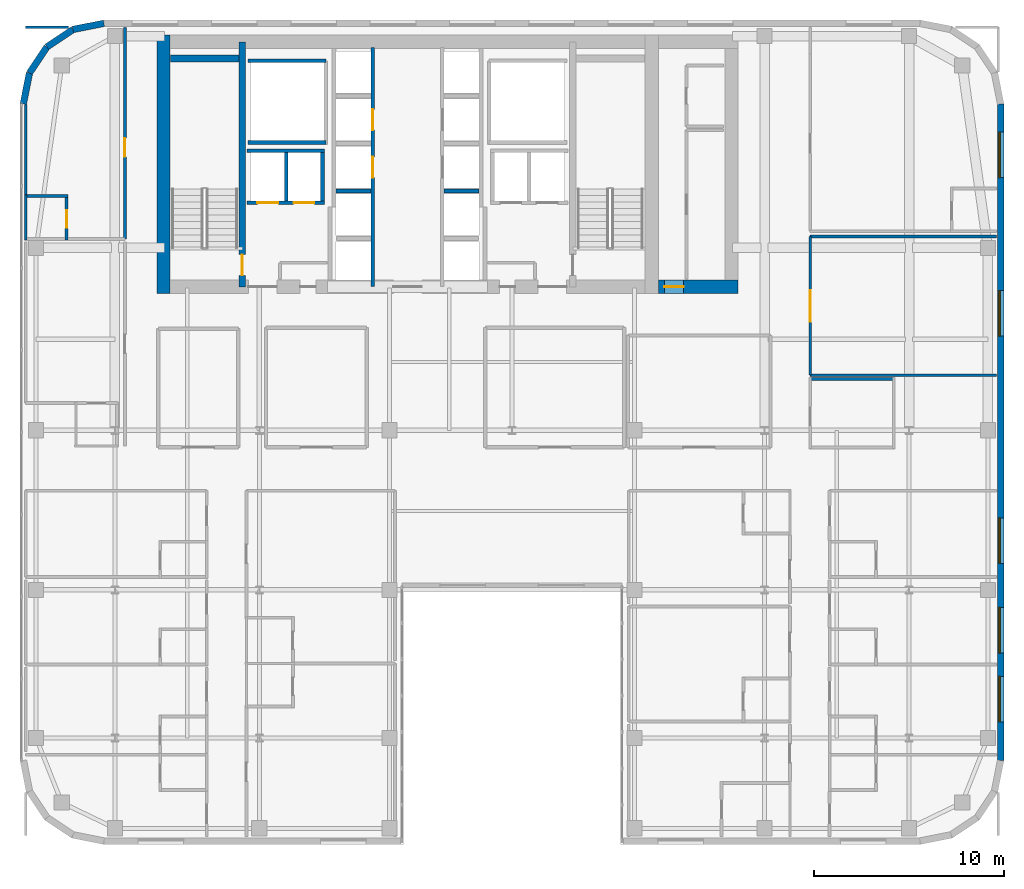
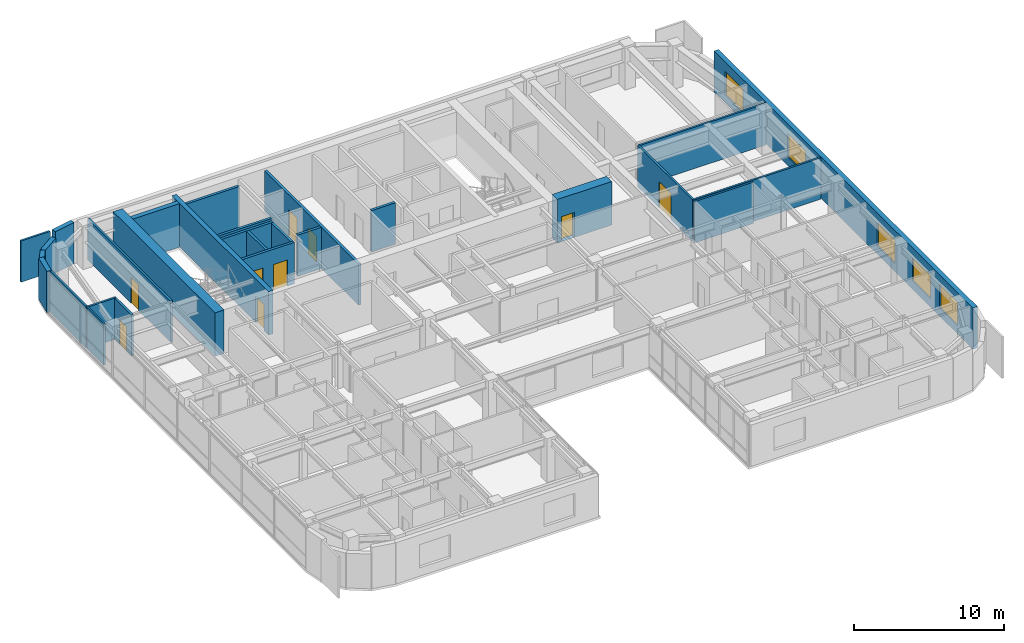
# One storey, part 21 of 24: 28 walls, 9 doors, 5 windows, 14 openings.
"""IFC4 building model written with IfcOpenShell, lengths in metres."""

from ifc_helpers import new_model, si_unit, direction, frame, frame_2d, origin, place, context, subcontext, project, spatial, rectangle, extrude, source, transform, mapped, material, layer, layer_set, type_object, type_shapes, element, fill, save


model = new_model("IFC4")

# Units and contexts
model_context = context("Model", 3, precision=1e-05, world=origin(), true_north=direction((0.0, 1.0)))
body_context = subcontext(model_context, "Body", "Model", "MODEL_VIEW")
ifc_project = project(units=[si_unit("LENGTHUNIT", "METRE"), si_unit("AREAUNIT", "SQUARE_METRE"), si_unit("VOLUMEUNIT", "CUBIC_METRE"), si_unit("PLANEANGLEUNIT", "RADIAN"), si_unit("MASSUNIT", "GRAM", prefix="KILO")], contexts=[model_context])

# Site, building, storey
site_placement = place(None, origin())
site = spatial("IfcSite", under=ifc_project, at=site_placement, CompositionType="ELEMENT")
building_placement = place(site_placement, origin())
building = spatial("IfcBuilding", under=site, at=building_placement, Name="Tolvann Quenvar Hotel", CompositionType="ELEMENT")
storey_placement = place(building_placement, frame((0.0, 0.0, 157.699951171875)))
storey = spatial("IfcBuildingStorey", under=building, at=storey_placement, Name="L41", CompositionType="ELEMENT", Elevation=157.699951171875)

# Wall
ifc_material_1 = material(Name="Concrete S65 (65 MPa)", Category="concrete")
ifc_layer_1 = layer(ifc_material_1, 0.699951171875)
ifc_layer_set_1 = layer_set([ifc_layer_1], Name="Concrete S65 (65 MPa)")
wall_type_1 = type_object("IfcWallType", Name="WALL_CORE_700", PredefinedType="SHEAR", material=ifc_layer_set_1)
wall_1_placement = place(storey_placement, frame((10.14990234375, 31.60009765625, 0.0), z_axis=(0.0, 0.0, 1.0), x_axis=(0.0, 1.0, 0.0)))
element("IfcWall", 1, at=wall_1_placement, inside=storey, type_object=wall_type_1, Name="Rear Core W Shear Wall (L41)", PredefinedType="SHEAR", context=body_context, shape_type="SweptSolid", body=[
    extrude(rectangle(XDim=13.599853515625, YDim=0.699951171875, at=frame_2d((6.7998046875, 0.0))), origin(), (0.0, 0.0, 1.0), 3.550048828125),
])

# Wall, opening, door
wall_2_placement = place(storey_placement, frame((36.199951171875, 31.949951171875, 0.0), z_axis=(0.0, 0.0, 1.0), x_axis=(1.0, 0.0, 0.0)))
wall_2 = element("IfcWall", 2, at=wall_2_placement, inside=storey, type_object=wall_type_1, Name="Core East Annex Shear Wall ANN-S (L41)", PredefinedType="SHEAR", context=body_context, shape_type="SweptSolid", body=[
    extrude(rectangle(XDim=4.199951171875, YDim=0.699951171875, at=frame_2d((2.10009765625, 0.0))), origin(), (0.0, 0.0, 1.0), 3.550048828125),
])
opening_1_placement = place(wall_2_placement, frame((1.340087890625, 0.0, 0.0), z_axis=(0.0, 0.0, 1.0), x_axis=(-1.0, 0.0, 0.0)))
opening_1 = element("IfcOpeningElement", 3, at=opening_1_placement, cuts=wall_2, Name="Opening HD-01", PredefinedType="OPENING", context=body_context, shape_type="SweptSolid", body=[
    extrude(rectangle(XDim=1.02001953125, YDim=2.030029296875, at=frame_2d((0.510009765625, 1.01513671875))), frame((0.0, 0.35986328125, 0.0), z_axis=(0.0, -1.0, 0.0), x_axis=(1.0, 0.0, 0.0)), (0.0, 0.0, 1.0), 0.719970703125),
])
ifc_material_2 = material(Name="Pressed galvanised steel fire-rated door set", Category="steel")
door_type_1 = type_object("IfcDoorType", Name="DOOR_BOH_1020", OperationType="NOTDEFINED", PredefinedType="DOOR", material=ifc_material_2)
shared_shape_1 = source(origin(), body_context, "Body", "SweptSolid", [
    extrude(rectangle(XDim=1.02001953125, YDim=2.030029296875, at=frame_2d((0.510009765625, 1.01513671875))), frame((0.0, 0.02490234375, 0.0), z_axis=(0.0, -1.0, 0.0), x_axis=(1.0, 0.0, 0.0)), (0.0, 0.0, 1.0), 0.050048828125),
])
type_shapes(door_type_1, [shared_shape_1])
door_1_placement = place(opening_1_placement, origin())
door_1 = element("IfcDoor", 4, at=door_1_placement, inside=storey, type_object=door_type_1, Name="Housekeeping Annex Fire Door (L41)", OperationType="SINGLE_SWING_LEFT", OverallHeight=2.030029296875, OverallWidth=1.02001953125, PredefinedType="DOOR", context=body_context, shape_type="MappedRepresentation", body=[
    mapped(shared_shape_1, transform((0.0, 0.0, 0.0), x_axis=(1.0, 0.0, 0.0), y_axis=(0.0, 1.0, 0.0), z_axis=(0.0, 0.0, 1.0), scale=1.0)),
])
fill(opening_1, door_1)

ifc_layer_2 = layer(ifc_material_1, 0.35009765625)
ifc_layer_set_2 = layer_set([ifc_layer_2], Name="Concrete S65 (65 MPa)")
wall_type_2 = type_object("IfcWallType", Name="WALL_CORE_INT_350", PredefinedType="SHEAR", material=ifc_layer_set_2)
wall_3_placement = place(storey_placement, frame((14.300048828125, 31.949951171875, 0.0), z_axis=(0.0, 0.0, 1.0), x_axis=(0.0, 1.0, 0.0)))
wall_3 = element("IfcWall", 5, at=wall_3_placement, inside=storey, type_object=wall_type_2, Name="Core Internal Web Shear Wall WEB-W (L41)", PredefinedType="SHEAR", context=body_context, shape_type="SweptSolid", body=[
    extrude(rectangle(XDim=12.900146484375, YDim=0.35009765625, at=frame_2d((6.4501953125, 0.0))), origin(), (0.0, 0.0, 1.0), 3.550048828125),
])
opening_2_placement = place(wall_3_placement, frame((0.60009765625, 0.0, 0.0)))
opening_2 = element("IfcOpeningElement", 6, at=opening_2_placement, cuts=wall_3, Name="Opening FD-120", PredefinedType="OPENING", context=body_context, shape_type="SweptSolid", body=[
    extrude(rectangle(XDim=1.10009765625, YDim=2.1201171875, at=frame_2d((0.550048828125, 1.06005859375))), frame((0.0, 0.18505859375, 0.0), z_axis=(0.0, -1.0, 0.0), x_axis=(1.0, 0.0, 0.0)), (0.0, 0.0, 1.0), 0.3701171875),
])
door_type_2 = type_object("IfcDoorType", Name="DOOR_FIRE_STAIR_1100", OperationType="NOTDEFINED", PredefinedType="DOOR", material=ifc_material_2)
shared_shape_2 = source(origin(), body_context, "Body", "SweptSolid", [
    extrude(rectangle(XDim=1.10009765625, YDim=2.1201171875, at=frame_2d((0.550048828125, 1.06005859375))), frame((0.0, 0.02490234375, 0.0), z_axis=(0.0, -1.0, 0.0), x_axis=(1.0, 0.0, 0.0)), (0.0, 0.0, 1.0), 0.050048828125),
])
type_shapes(door_type_2, [shared_shape_2])
door_2_placement = place(opening_2_placement, origin())
door_2 = element("IfcDoor", 7, at=door_2_placement, inside=storey, type_object=door_type_2, Name="Exit Stair ST-C1 Fire Door (L41)", OperationType="SINGLE_SWING_LEFT", OverallHeight=2.1201171875, OverallWidth=1.10009765625, PredefinedType="DOOR", context=body_context, shape_type="MappedRepresentation", body=[
    mapped(shared_shape_2, transform((0.0, 0.0, 0.0), x_axis=(1.0, 0.0, 0.0), y_axis=(0.0, 1.0, 0.0), z_axis=(0.0, 0.0, 1.0), scale=1.0)),
])
fill(opening_2, door_2)

# Wall
wall_4_placement = place(storey_placement, frame((10.52001953125, 43.97509765625, 0.0), z_axis=(0.0, 0.0, 1.0), x_axis=(1.0, 0.0, 0.0)))
element("IfcWall", 8, at=wall_4_placement, inside=storey, type_object=wall_type_2, Name="Core Stair North Closing Shear Wall STC1-N (L41)", PredefinedType="SHEAR", context=body_context, shape_type="SweptSolid", body=[
    extrude(rectangle(XDim=3.60009765625, YDim=0.35009765625, at=frame_2d((1.800048828125, 0.0))), origin(), (0.0, 0.0, 1.0), 3.550048828125),
])

# Wall, openings, windows
ifc_material_3 = material(Name="Kiln-fired red and buff architectural clay brickwork and terracotta masonry", Category="masonry")
ifc_layer_3 = layer(ifc_material_3, 0.35009765625)
ifc_layer_set_3 = layer_set([ifc_layer_3], Name="Kiln-fired red and buff architectural clay brickwork and terracotta masonry")
wall_type_3 = type_object("IfcWallType", Name="WALL_EXT_BRICK_350", PredefinedType="SOLIDWALL", material=ifc_layer_set_3)
wall_5_placement = place(storey_placement, frame((54.22509765625, 7.01708984375, 0.0), z_axis=(0.0, 0.0, 1.0), x_axis=(0.0, 1.0, 0.0)))
wall_5 = element("IfcWall", 9, at=wall_5_placement, inside=storey, type_object=wall_type_3, Name="Exterior Chicago Brick Wall L41-E13", PredefinedType="SOLIDWALL", context=body_context, shape_type="SweptSolid", body=[
    extrude(rectangle(XDim=34.565673828125, YDim=0.35009765625, at=frame_2d((17.28271484375, 0.0))), origin(), (0.0, 0.0, 1.0), 3.3701171875),
])
opening_3_placement = place(wall_5_placement, frame((2.034912109375, 0.0, 0.679931640625)))
opening_3 = element("IfcOpeningElement", 10, at=opening_3_placement, cuts=wall_5, Name="Opening W-01", PredefinedType="OPENING", context=body_context, shape_type="SweptSolid", body=[
    extrude(rectangle(XDim=2.39990234375, YDim=1.89990234375, at=frame_2d((1.199951171875, 0.949951171875))), frame((0.0, 0.18505859375, 0.0), z_axis=(0.0, -1.0, 0.0), x_axis=(1.0, 0.0, 0.0)), (0.0, 0.0, 1.0), 0.3701171875),
])
opening_4_placement = place(wall_5_placement, frame((5.656005859375, 0.0, 0.679931640625)))
opening_4 = element("IfcOpeningElement", 11, at=opening_4_placement, cuts=wall_5, Name="Opening W-01", PredefinedType="OPENING", context=body_context, shape_type="SweptSolid", body=[
    extrude(rectangle(XDim=2.39990234375, YDim=1.89990234375, at=frame_2d((1.199951171875, 0.949951171875))), frame((0.0, 0.18505859375, 0.0), z_axis=(0.0, -1.0, 0.0), x_axis=(1.0, 0.0, 0.0)), (0.0, 0.0, 1.0), 0.3701171875),
])
opening_5_placement = place(wall_5_placement, frame((10.376953125, 0.0, 0.679931640625)))
opening_5 = element("IfcOpeningElement", 12, at=opening_5_placement, cuts=wall_5, Name="Opening W-01", PredefinedType="OPENING", context=body_context, shape_type="SweptSolid", body=[
    extrude(rectangle(XDim=2.39990234375, YDim=1.89990234375, at=frame_2d((1.199951171875, 0.949951171875))), frame((0.0, 0.18505859375, 0.0), z_axis=(0.0, -1.0, 0.0), x_axis=(1.0, 0.0, 0.0)), (0.0, 0.0, 1.0), 0.3701171875),
])
opening_6_placement = place(wall_5_placement, frame((22.339111328125, 0.0, 0.679931640625)))
opening_6 = element("IfcOpeningElement", 13, at=opening_6_placement, cuts=wall_5, Name="Opening W-01", PredefinedType="OPENING", context=body_context, shape_type="SweptSolid", body=[
    extrude(rectangle(XDim=2.39990234375, YDim=1.89990234375, at=frame_2d((1.199951171875, 0.949951171875))), frame((0.0, 0.18505859375, 0.0), z_axis=(0.0, -1.0, 0.0), x_axis=(1.0, 0.0, 0.0)), (0.0, 0.0, 1.0), 0.3701171875),
])
opening_7_placement = place(wall_5_placement, frame((30.679931640625, 0.0, 0.679931640625)))
opening_7 = element("IfcOpeningElement", 14, at=opening_7_placement, cuts=wall_5, Name="Opening W-01", PredefinedType="OPENING", context=body_context, shape_type="SweptSolid", body=[
    extrude(rectangle(XDim=2.39990234375, YDim=1.89990234375, at=frame_2d((1.199951171875, 0.949951171875))), frame((0.0, 0.18505859375, 0.0), z_axis=(0.0, -1.0, 0.0), x_axis=(1.0, 0.0, 0.0)), (0.0, 0.0, 1.0), 0.3701171875),
])
ifc_material_4 = material(Name="Thermally broken bronze-anodised aluminium frame with double low-E glazing", Category="aluminium")
window_type = type_object("IfcWindowType", Name="WIN_CHI_2400x2050", PartitioningType="TRIPLE_PANEL_HORIZONTAL", PredefinedType="WINDOW", material=ifc_material_4)
shared_shape_3 = source(origin(), body_context, "Body", "SweptSolid", [
    extrude(rectangle(XDim=2.39990234375, YDim=1.89990234375, at=frame_2d((1.199951171875, 0.949951171875))), frame((0.0, 0.090087890625, 0.0), z_axis=(0.0, -1.0, 0.0), x_axis=(1.0, 0.0, 0.0)), (0.0, 0.0, 1.0), 0.06005859375),
])
type_shapes(window_type, [shared_shape_3])
window_1_placement = place(opening_3_placement, origin())
window_1 = element("IfcWindow", 15, at=window_1_placement, inside=storey, type_object=window_type, Name="Chicago Window W-01 (EW-L41-E13-W01)", OverallHeight=1.89990234375, OverallWidth=2.39990234375, PartitioningType="TRIPLE_PANEL_HORIZONTAL", PredefinedType="WINDOW", context=body_context, shape_type="MappedRepresentation", body=[
    mapped(shared_shape_3, transform((0.0, 0.0, 0.0), x_axis=(1.0, 0.0, 0.0), y_axis=(0.0, 1.0, 0.0), z_axis=(0.0, 0.0, 1.0), scale=1.0)),
])
fill(opening_3, window_1)
window_2_placement = place(opening_4_placement, origin())
window_2 = element("IfcWindow", 16, at=window_2_placement, inside=storey, type_object=window_type, Name="Chicago Window W-01 (EW-L41-E13-W02)", OverallHeight=1.89990234375, OverallWidth=2.39990234375, PartitioningType="TRIPLE_PANEL_HORIZONTAL", PredefinedType="WINDOW", context=body_context, shape_type="MappedRepresentation", body=[
    mapped(shared_shape_3, transform((0.0, 0.0, 0.0), x_axis=(1.0, 0.0, 0.0), y_axis=(0.0, 1.0, 0.0), z_axis=(0.0, 0.0, 1.0), scale=1.0)),
])
fill(opening_4, window_2)
window_3_placement = place(opening_5_placement, origin())
window_3 = element("IfcWindow", 17, at=window_3_placement, inside=storey, type_object=window_type, Name="Chicago Window W-01 (EW-L41-E13-W03)", OverallHeight=1.89990234375, OverallWidth=2.39990234375, PartitioningType="TRIPLE_PANEL_HORIZONTAL", PredefinedType="WINDOW", context=body_context, shape_type="MappedRepresentation", body=[
    mapped(shared_shape_3, transform((0.0, 0.0, 0.0), x_axis=(1.0, 0.0, 0.0), y_axis=(0.0, 1.0, 0.0), z_axis=(0.0, 0.0, 1.0), scale=1.0)),
])
fill(opening_5, window_3)
window_4_placement = place(opening_6_placement, origin())
window_4 = element("IfcWindow", 18, at=window_4_placement, inside=storey, type_object=window_type, Name="Chicago Window W-01 (EW-L41-E13-W04)", OverallHeight=1.89990234375, OverallWidth=2.39990234375, PartitioningType="TRIPLE_PANEL_HORIZONTAL", PredefinedType="WINDOW", context=body_context, shape_type="MappedRepresentation", body=[
    mapped(shared_shape_3, transform((0.0, 0.0, 0.0), x_axis=(1.0, 0.0, 0.0), y_axis=(0.0, 1.0, 0.0), z_axis=(0.0, 0.0, 1.0), scale=1.0)),
])
fill(opening_6, window_4)
window_5_placement = place(opening_7_placement, origin())
window_5 = element("IfcWindow", 19, at=window_5_placement, inside=storey, type_object=window_type, Name="Chicago Window W-01 (EW-L41-E13-W05)", OverallHeight=1.89990234375, OverallWidth=2.39990234375, PartitioningType="TRIPLE_PANEL_HORIZONTAL", PredefinedType="WINDOW", context=body_context, shape_type="MappedRepresentation", body=[
    mapped(shared_shape_3, transform((0.0, 0.0, 0.0), x_axis=(1.0, 0.0, 0.0), y_axis=(0.0, 1.0, 0.0), z_axis=(0.0, 0.0, 1.0), scale=1.0)),
])
fill(opening_7, window_5)

# Walls
wall_6_placement = place(storey_placement, frame((7.01708984375, 45.824951171875, 0.0), z_axis=(0.0, 0.0, 1.0), x_axis=(-0.980788844421, -0.195072403631, 0.0)))
element("IfcWall", 20, at=wall_6_placement, inside=storey, type_object=wall_type_3, Name="Exterior Chicago Brick Wall L41-E19", PredefinedType="SOLIDWALL", context=body_context, shape_type="SweptSolid", body=[
    extrude(rectangle(XDim=1.66455078125, YDim=0.35009765625, at=frame_2d((0.832275390625, 0.0))), origin(), (0.0, 0.0, 1.0), 3.3701171875),
])
for number, where, z_axis, x_axis, name in (
    (21, (5.384521484375, 45.500244140625, 0.0), (0.0, 0.0, 1.0), (-0.831502623162, -0.555520825599, 0.0), "Exterior Chicago Brick Wall L41-E20"),
    (22, (4.014892578125, 44.585205078125, 0.0), (0.0, 0.0, 1.0), (-0.555623290322, -0.831434158098, 0.0), "Exterior Chicago Brick Wall L41-E21"),
):
    element("IfcWall", number, at=place(storey_placement, frame(where, z_axis=z_axis, x_axis=x_axis)), inside=storey, type_object=wall_type_3, Name=name, PredefinedType="SOLIDWALL", context=body_context, shape_type="SweptSolid", body=[
        extrude(rectangle(XDim=1.647216796875, YDim=0.35009765625, at=frame_2d((0.82373046875, 0.0))), origin(), (0.0, 0.0, 1.0), 2.83203125),
    ])
wall_7_placement = place(storey_placement, frame((3.099609375, 43.215576171875, 0.0), z_axis=(0.0, 0.0, 1.0), x_axis=(-0.195044345786, -0.980794424524, 0.0)))
element("IfcWall", 23, at=wall_7_placement, inside=storey, type_object=wall_type_3, Name="Exterior Chicago Brick Wall L41-E22", PredefinedType="SOLIDWALL", context=body_context, shape_type="SweptSolid", body=[
    extrude(rectangle(XDim=1.664794921875, YDim=0.35009765625, at=frame_2d((0.83251953125, 0.0))), origin(), (0.0, 0.0, 1.0), 3.3701171875),
])
ifc_material_5 = material(Name="Moisture-resistant acoustic plumbing wall assembly")
ifc_layer_4 = layer(ifc_material_5, 0.1201171875)
ifc_layer_set_4 = layer_set([ifc_layer_4], Name="Moisture-resistant acoustic plumbing wall assembly")
wall_type_4 = type_object("IfcWallType", Name="WALL_PART_BATH_120", PredefinedType="PLUMBINGWALL", material=ifc_layer_set_4)
wall_8_placement = place(storey_placement, frame((2.89990234375, 34.409912109375, 0.0), z_axis=(0.0, 0.0, 1.0), x_axis=(0.0, 1.0, 0.0)))
element("IfcWall", 24, at=wall_8_placement, inside=storey, type_object=wall_type_4, Name="Non-Rated Plumbing Partition PT-SPC-L41-ENS-NW02-W", PredefinedType="PLUMBINGWALL", context=body_context, shape_type="SweptSolid", body=[
    extrude(rectangle(XDim=2.39013671875, YDim=0.1201171875, at=frame_2d((1.195068359375, 0.0))), origin(), (0.0, 0.0, 1.0), 3.3701171875),
])

# Wall, opening, door
ifc_material_6 = material(Name="Acoustic twin-stud fire-rated gypsum plasterboard partition")
ifc_layer_5 = layer(ifc_material_6, 0.14990234375)
ifc_layer_set_5 = layer_set([ifc_layer_5], Name="Acoustic twin-stud fire-rated gypsum plasterboard partition")
wall_type_5 = type_object("IfcWallType", Name="WALL_PART_SUITE_150", PredefinedType="PARTITIONING", material=ifc_layer_set_5)
wall_9_placement = place(storey_placement, frame((5.050048828125, 34.409912109375, 0.0), z_axis=(0.0, 0.0, 1.0), x_axis=(0.0, 1.0, 0.0)))
wall_9 = element("IfcWall", 25, at=wall_9_placement, inside=storey, type_object=wall_type_5, Name="Interior Partition PT-SPC-L41-ENS-NW02-ENT", PredefinedType="PARTITIONING", context=body_context, shape_type="SweptSolid", body=[
    extrude(rectangle(XDim=2.39013671875, YDim=0.14990234375, at=frame_2d((1.195068359375, 0.0))), origin(), (0.0, 0.0, 1.0), 3.3701171875),
])
opening_8_placement = place(wall_9_placement, frame((0.6650390625, 0.0, 0.0)))
opening_8 = element("IfcOpeningElement", 26, at=opening_8_placement, cuts=wall_9, Name="Opening WD-01", PredefinedType="OPENING", context=body_context, shape_type="SweptSolid", body=[
    extrude(rectangle(XDim=0.919921875, YDim=2.010009765625, at=frame_2d((0.4599609375, 1.0048828125))), frame((0.0, 0.0849609375, 0.0), z_axis=(0.0, -1.0, 0.0), x_axis=(1.0, 0.0, 0.0)), (0.0, 0.0, 1.0), 0.169921875),
])
ifc_material_7 = material(Name="Solid-core American oak acoustic fire door leaf in steel frame", Category="steel")
door_type_3 = type_object("IfcDoorType", Name="DOOR_WC_920", OperationType="NOTDEFINED", PredefinedType="DOOR", material=ifc_material_7)
shared_shape_4 = source(origin(), body_context, "Body", "SweptSolid", [
    extrude(rectangle(XDim=0.919921875, YDim=2.010009765625, at=frame_2d((0.4599609375, 1.0048828125))), frame((0.0, 0.02490234375, 0.0), z_axis=(0.0, -1.0, 0.0), x_axis=(1.0, 0.0, 0.0)), (0.0, 0.0, 1.0), 0.050048828125),
])
type_shapes(door_type_3, [shared_shape_4])
door_3_placement = place(opening_8_placement, origin())
door_3 = element("IfcDoor", 27, at=door_3_placement, inside=storey, type_object=door_type_3, Name="Interior Door DOOR-SPC-L41-ENS-NW02", OperationType="SINGLE_SWING_LEFT", OverallHeight=2.010009765625, OverallWidth=0.919921875, PredefinedType="DOOR", context=body_context, shape_type="MappedRepresentation", body=[
    mapped(shared_shape_4, transform((0.0, 0.0, 0.0), x_axis=(1.0, 0.0, 0.0), y_axis=(0.0, 1.0, 0.0), z_axis=(0.0, 0.0, 1.0), scale=1.0)),
])
fill(opening_8, door_3)

# Wall
wall_10_placement = place(storey_placement, frame((2.830078125, 36.72998046875, 0.0), z_axis=(0.0, 0.0, 1.0), x_axis=(1.0, 0.0, 0.0)))
element("IfcWall", 28, at=wall_10_placement, inside=storey, type_object=wall_type_5, Name="Interior Partition PT-SPC-L41-ENS-NW02-N", PredefinedType="PARTITIONING", context=body_context, shape_type="SweptSolid", body=[
    extrude(rectangle(XDim=2.2900390625, YDim=0.14990234375, at=frame_2d((1.14501953125, 0.0))), origin(), (0.0, 0.0, 1.0), 3.3701171875),
])

# Wall, opening, door
wall_11_placement = place(storey_placement, frame((8.1201171875, 34.47998046875, 0.0), z_axis=(0.0, 0.0, 1.0), x_axis=(0.0, 1.0, 0.0)))
wall_11 = element("IfcWall", 29, at=wall_11_placement, inside=storey, type_object=wall_type_5, Name="Interior Partition PT-SPC-L41-RM-NW02-ENT", PredefinedType="PARTITIONING", context=body_context, shape_type="SweptSolid", body=[
    extrude(rectangle(XDim=11.114990234375, YDim=0.14990234375, at=frame_2d((5.5576171875, 0.0))), origin(), (0.0, 0.0, 1.0), 3.3701171875),
])
opening_9_placement = place(wall_11_placement, frame((4.320068359375, 0.0, 0.0)))
opening_9 = element("IfcOpeningElement", 30, at=opening_9_placement, cuts=wall_11, Name="Opening SD-01", PredefinedType="OPENING", context=body_context, shape_type="SweptSolid", body=[
    extrude(rectangle(XDim=0.97998046875, YDim=2.1201171875, at=frame_2d((0.489990234375, 1.06005859375))), frame((0.0, 0.0849609375, 0.0), z_axis=(0.0, -1.0, 0.0), x_axis=(1.0, 0.0, 0.0)), (0.0, 0.0, 1.0), 0.169921875),
])
door_type_4 = type_object("IfcDoorType", Name="DOOR_SUITE_980", OperationType="NOTDEFINED", PredefinedType="DOOR", material=ifc_material_7)
shared_shape_5 = source(origin(), body_context, "Body", "SweptSolid", [
    extrude(rectangle(XDim=0.97998046875, YDim=2.1201171875, at=frame_2d((0.489990234375, 1.06005859375))), frame((0.0, 0.02490234375, 0.0), z_axis=(0.0, -1.0, 0.0), x_axis=(1.0, 0.0, 0.0)), (0.0, 0.0, 1.0), 0.050048828125),
])
type_shapes(door_type_4, [shared_shape_5])
door_4_placement = place(opening_9_placement, origin())
door_4 = element("IfcDoor", 31, at=door_4_placement, inside=storey, type_object=door_type_4, Name="Interior Door DOOR-SPC-L41-RM-NW02", OperationType="SINGLE_SWING_LEFT", OverallHeight=2.1201171875, OverallWidth=0.97998046875, PredefinedType="DOOR", context=body_context, shape_type="MappedRepresentation", body=[
    mapped(shared_shape_5, transform((0.0, 0.0, 0.0), x_axis=(1.0, 0.0, 0.0), y_axis=(0.0, 1.0, 0.0), z_axis=(0.0, 0.0, 1.0), scale=1.0)),
])
fill(opening_9, door_4)

# Walls
wall_12_placement = place(storey_placement, frame((2.89990234375, 45.6201171875, 0.0), z_axis=(0.0, 0.0, 1.0), x_axis=(1.0, 0.0, 0.0)))
element("IfcWall", 32, at=wall_12_placement, inside=storey, type_object=wall_type_5, Name="Interior Partition PT-SPC-L41-RM-NW02-E5", PredefinedType="PARTITIONING", context=body_context, shape_type="SweptSolid", body=[
    extrude(rectangle(XDim=2.25, YDim=0.14990234375, at=frame_2d((1.125, 0.0))), origin(), (0.0, 0.0, 1.0), 3.3701171875),
])
wall_13_placement = place(storey_placement, frame((2.89990234375, 36.75, 0.0), z_axis=(0.0, 0.0, 1.0), x_axis=(0.0, 1.0, 0.0)))
element("IfcWall", 33, at=wall_13_placement, inside=storey, type_object=wall_type_5, Name="Interior Partition PT-SPC-L41-RM-NW02-E6", PredefinedType="PARTITIONING", context=body_context, shape_type="SweptSolid", body=[
    extrude(rectangle(XDim=4.80810546875, YDim=0.14990234375, at=frame_2d((2.404052734375, 0.0))), origin(), (0.0, 0.0, 1.0), 3.3701171875),
])
wall_14_placement = place(storey_placement, frame((44.1298828125, 27.10009765625, 0.0), z_axis=(0.0, 0.0, 1.0), x_axis=(1.0, 0.0, 0.0)))
element("IfcWall", 34, at=wall_14_placement, inside=storey, type_object=wall_type_5, Name="Interior Partition PT-SPC-L41-WCA-N", PredefinedType="PARTITIONING", context=body_context, shape_type="SweptSolid", body=[
    extrude(rectangle(XDim=4.5400390625, YDim=0.14990234375, at=frame_2d((2.27001953125, 0.0))), origin(), (0.0, 0.0, 1.0), 3.3701171875),
])
for number, where, z_axis, x_axis, name in (
    (35, (44.199951171875, 27.300048828125, 0.0), (0.0, 0.0, 1.0), (1.0, 0.0, 0.0), "Interior Partition PT-SPC-L41-SPA-S"),
    (36, (44.199951171875, 34.60009765625, 0.0), (0.0, 0.0, 1.0), (1.0, 0.0, 0.0), "Interior Partition PT-SPC-L41-SPA-N"),
):
    element("IfcWall", number, at=place(storey_placement, frame(where, z_axis=z_axis, x_axis=x_axis)), inside=storey, type_object=wall_type_5, Name=name, PredefinedType="PARTITIONING", context=body_context, shape_type="SweptSolid", body=[
        extrude(rectangle(XDim=9.795166015625, YDim=0.14990234375, at=frame_2d((4.8974609375, 0.0))), origin(), (0.0, 0.0, 1.0), 3.3701171875),
    ])

# Wall, opening, door
wall_15_placement = place(storey_placement, frame((44.199951171875, 27.300048828125, 0.0), z_axis=(0.0, 0.0, 1.0), x_axis=(0.0, 1.0, 0.0)))
wall_15 = element("IfcWall", 37, at=wall_15_placement, inside=storey, type_object=wall_type_5, Name="Interior Partition PT-SPC-L41-SPA-W", PredefinedType="PARTITIONING", context=body_context, shape_type="SweptSolid", body=[
    extrude(rectangle(XDim=7.300048828125, YDim=0.14990234375, at=frame_2d((3.64990234375, 0.0))), origin(), (0.0, 0.0, 1.0), 3.3701171875),
])
opening_10_placement = place(wall_15_placement, frame((2.824951171875, 0.0, 0.0)))
opening_10 = element("IfcOpeningElement", 38, at=opening_10_placement, cuts=wall_15, Name="Opening AD-01", PredefinedType="OPENING", context=body_context, shape_type="SweptSolid", body=[
    extrude(rectangle(XDim=1.64990234375, YDim=2.14990234375, at=frame_2d((0.824951171875, 1.074951171875))), frame((0.0, 0.0849609375, 0.0), z_axis=(0.0, -1.0, 0.0), x_axis=(1.0, 0.0, 0.0)), (0.0, 0.0, 1.0), 0.169921875),
])
door_type_5 = type_object("IfcDoorType", Name="DOOR_SALON_1650", OperationType="NOTDEFINED", PredefinedType="DOOR", material=ifc_material_7)
shared_shape_6 = source(origin(), body_context, "Body", "SweptSolid", [
    extrude(rectangle(XDim=1.64990234375, YDim=2.14990234375, at=frame_2d((0.824951171875, 1.074951171875))), frame((0.0, 0.02490234375, 0.0), z_axis=(0.0, -1.0, 0.0), x_axis=(1.0, 0.0, 0.0)), (0.0, 0.0, 1.0), 0.050048828125),
])
type_shapes(door_type_5, [shared_shape_6])
door_5_placement = place(opening_10_placement, origin())
door_5 = element("IfcDoor", 39, at=door_5_placement, inside=storey, type_object=door_type_5, Name="Interior Door DOOR-SPC-L41-SPA", OperationType="DOUBLE_DOOR_SINGLE_SWING", OverallHeight=2.14990234375, OverallWidth=1.64990234375, PredefinedType="DOOR", context=body_context, shape_type="MappedRepresentation", body=[
    mapped(shared_shape_6, transform((0.0, 0.0, 0.0), x_axis=(1.0, 0.0, 0.0), y_axis=(0.0, 1.0, 0.0), z_axis=(0.0, 0.0, 1.0), scale=1.0)),
])
fill(opening_10, door_5)

# Walls
ifc_material_8 = material(Name="Concrete N40 (40 MPa)", Category="concrete")
ifc_layer_6 = layer(ifc_material_8, 0.199951171875)
ifc_layer_set_6 = layer_set([ifc_layer_6], Name="Concrete N40 (40 MPa)")
wall_type_6 = type_object("IfcWallType", Name="WALL_SHAFT_200", PredefinedType="SOLIDWALL", material=ifc_layer_set_6)
for number, where, z_axis, x_axis, name in (
    (40, (14.60009765625, 39.550048828125, 0.0), (0.0, 0.0, 1.0), (1.0, 0.0, 0.0), "Service Riser W Shaft Wall S (L41)"),
    (41, (14.60009765625, 43.85009765625, 0.0), (0.0, 0.0, 1.0), (1.0, 0.0, 0.0), "Service Riser W Shaft Wall N (L41)"),
):
    element("IfcWall", number, at=place(storey_placement, frame(where, z_axis=z_axis, x_axis=x_axis)), inside=storey, type_object=wall_type_6, Name=name, PredefinedType="SOLIDWALL", context=body_context, shape_type="SweptSolid", body=[
        extrude(rectangle(XDim=4.099853515625, YDim=0.199951171875, at=frame_2d((2.0498046875, 0.0))), origin(), (0.0, 0.0, 1.0), 3.3701171875),
    ])

# Wall, openings, doors
wall_16_placement = place(storey_placement, frame((21.169921875, 31.9599609375, 0.0), z_axis=(0.0, 0.0, 1.0), x_axis=(0.0, 1.0, 0.0)))
wall_16 = element("IfcWall", 42, at=wall_16_placement, inside=storey, type_object=wall_type_6, Name="Lift Bank E21.1C1 Hoistway Front Wall (L41)", PredefinedType="SOLIDWALL", context=body_context, shape_type="SweptSolid", body=[
    extrude(rectangle(XDim=12.580078125, YDim=0.199951171875, at=frame_2d((6.2900390625, 0.0))), origin(), (0.0, 0.0, 1.0), 3.3701171875),
])
opening_11_placement = place(wall_16_placement, frame((5.739990234375, 0.0, 0.0)))
opening_11 = element("IfcOpeningElement", 43, at=opening_11_placement, cuts=wall_16, Name="Opening LD-01", PredefinedType="OPENING", context=body_context, shape_type="SweptSolid", body=[
    extrude(rectangle(XDim=1.10009765625, YDim=2.1201171875, at=frame_2d((0.550048828125, 1.06005859375))), frame((0.0, 0.10986328125, 0.0), z_axis=(0.0, -1.0, 0.0), x_axis=(1.0, 0.0, 0.0)), (0.0, 0.0, 1.0), 0.219970703125),
])
opening_12_placement = place(wall_16_placement, frame((8.239990234375, 0.0, 0.0)))
opening_12 = element("IfcOpeningElement", 44, at=opening_12_placement, cuts=wall_16, Name="Opening LD-01", PredefinedType="OPENING", context=body_context, shape_type="SweptSolid", body=[
    extrude(rectangle(XDim=1.10009765625, YDim=2.1201171875, at=frame_2d((0.550048828125, 1.06005859375))), frame((0.0, 0.10986328125, 0.0), z_axis=(0.0, -1.0, 0.0), x_axis=(1.0, 0.0, 0.0)), (0.0, 0.0, 1.0), 0.219970703125),
])
ifc_material_9 = material(Name="Brushed 316 stainless steel automatic sliding lift landing door", Category="steel")
door_type_6 = type_object("IfcDoorType", Name="DOOR_LIFT_SLIDE_1100", OperationType="NOTDEFINED", PredefinedType="DOOR", material=ifc_material_9)
shared_shape_7 = source(origin(), body_context, "Body", "SweptSolid", [
    extrude(rectangle(XDim=1.10009765625, YDim=2.1201171875, at=frame_2d((0.550048828125, 1.06005859375))), frame((0.0, 0.02490234375, 0.0), z_axis=(0.0, -1.0, 0.0), x_axis=(1.0, 0.0, 0.0)), (0.0, 0.0, 1.0), 0.050048828125),
])
type_shapes(door_type_6, [shared_shape_7])
door_6_placement = place(opening_11_placement, origin())
door_6 = element("IfcDoor", 45, at=door_6_placement, inside=storey, type_object=door_type_6, Name="Lift PM-1 Sliding Landing Door (L41)", OperationType="SLIDING_TO_RIGHT", OverallHeight=2.1201171875, OverallWidth=1.10009765625, PredefinedType="DOOR", context=body_context, shape_type="MappedRepresentation", body=[
    mapped(shared_shape_7, transform((0.0, 0.0, 0.0), x_axis=(1.0, 0.0, 0.0), y_axis=(0.0, 1.0, 0.0), z_axis=(0.0, 0.0, 1.0), scale=1.0)),
])
fill(opening_11, door_6)
door_7_placement = place(opening_12_placement, origin())
door_7 = element("IfcDoor", 46, at=door_7_placement, inside=storey, type_object=door_type_6, Name="Lift PM-2 Sliding Landing Door (L41)", OperationType="SLIDING_TO_LEFT", OverallHeight=2.1201171875, OverallWidth=1.10009765625, PredefinedType="DOOR", context=body_context, shape_type="MappedRepresentation", body=[
    mapped(shared_shape_7, transform((0.0, 0.0, 0.0), x_axis=(1.0, 0.0, 0.0), y_axis=(0.0, 1.0, 0.0), z_axis=(0.0, 0.0, 1.0), scale=1.0)),
])
fill(opening_12, door_7)

# Wall
wall_17_placement = place(storey_placement, frame((19.22998046875, 37.0, 0.0), z_axis=(0.0, 0.0, 1.0), x_axis=(1.0, 0.0, 0.0)))
element("IfcWall", 47, at=wall_17_placement, inside=storey, type_object=wall_type_6, Name="Lift Bank E21.1C1 Divider Wall 2 (L41)", PredefinedType="SOLIDWALL", context=body_context, shape_type="SweptSolid", body=[
    extrude(rectangle(XDim=1.840087890625, YDim=0.199951171875, at=frame_2d((0.919921875, 0.0))), origin(), (0.0, 0.0, 1.0), 3.3701171875),
])

# Wall, openings, doors
wall_18_placement = place(storey_placement, frame((14.550048828125, 36.3798828125, 0.0), z_axis=(0.0, 0.0, 1.0), x_axis=(1.0, 0.0, 0.0)))
wall_18 = element("IfcWall", 48, at=wall_18_placement, inside=storey, type_object=wall_type_6, Name="Lift Bank SWC1 Hoistway Front Wall (L41)", PredefinedType="SOLIDWALL", context=body_context, shape_type="SweptSolid", body=[
    extrude(rectangle(XDim=4.074951171875, YDim=0.199951171875, at=frame_2d((2.03759765625, 0.0))), origin(), (0.0, 0.0, 1.0), 3.3701171875),
])
opening_13_placement = place(wall_18_placement, frame((0.550048828125, 0.0, 0.0)))
opening_13 = element("IfcOpeningElement", 49, at=opening_13_placement, cuts=wall_18, Name="Opening LD-01", PredefinedType="OPENING", context=body_context, shape_type="SweptSolid", body=[
    extrude(rectangle(XDim=1.10009765625, YDim=2.1201171875, at=frame_2d((0.550048828125, 1.06005859375))), frame((0.0, 0.10986328125, 0.0), z_axis=(0.0, -1.0, 0.0), x_axis=(1.0, 0.0, 0.0)), (0.0, 0.0, 1.0), 0.219970703125),
])
opening_14_placement = place(wall_18_placement, frame((2.449951171875, 0.0, 0.0)))
opening_14 = element("IfcOpeningElement", 50, at=opening_14_placement, cuts=wall_18, Name="Opening LD-01", PredefinedType="OPENING", context=body_context, shape_type="SweptSolid", body=[
    extrude(rectangle(XDim=1.10009765625, YDim=2.1201171875, at=frame_2d((0.550048828125, 1.06005859375))), frame((0.0, 0.10986328125, 0.0), z_axis=(0.0, -1.0, 0.0), x_axis=(1.0, 0.0, 0.0)), (0.0, 0.0, 1.0), 0.219970703125),
])
door_8_placement = place(opening_13_placement, origin())
door_8 = element("IfcDoor", 51, at=door_8_placement, inside=storey, type_object=door_type_6, Name="Lift FF-1 Sliding Landing Door (L41)", OperationType="SLIDING_TO_LEFT", OverallHeight=2.1201171875, OverallWidth=1.10009765625, PredefinedType="DOOR", context=body_context, shape_type="MappedRepresentation", body=[
    mapped(shared_shape_7, transform((0.0, 0.0, 0.0), x_axis=(1.0, 0.0, 0.0), y_axis=(0.0, 1.0, 0.0), z_axis=(0.0, 0.0, 1.0), scale=1.0)),
])
fill(opening_13, door_8)
door_9_placement = place(opening_14_placement, origin())
door_9 = element("IfcDoor", 52, at=door_9_placement, inside=storey, type_object=door_type_6, Name="Lift SV-1 Sliding Landing Door (L41)", OperationType="SLIDING_TO_RIGHT", OverallHeight=2.1201171875, OverallWidth=1.10009765625, PredefinedType="DOOR", context=body_context, shape_type="MappedRepresentation", body=[
    mapped(shared_shape_7, transform((0.0, 0.0, 0.0), x_axis=(1.0, 0.0, 0.0), y_axis=(0.0, 1.0, 0.0), z_axis=(0.0, 0.0, 1.0), scale=1.0)),
])
fill(opening_14, door_9)

# Walls
wall_19_placement = place(storey_placement, frame((14.550048828125, 39.1201171875, 0.0), z_axis=(0.0, 0.0, 1.0), x_axis=(1.0, 0.0, 0.0)))
element("IfcWall", 53, at=wall_19_placement, inside=storey, type_object=wall_type_6, Name="Lift Bank SWC1 Hoistway Rear Wall (L41)", PredefinedType="SOLIDWALL", context=body_context, shape_type="SweptSolid", body=[
    extrude(rectangle(XDim=4.074951171875, YDim=0.199951171875, at=frame_2d((2.03759765625, 0.0))), origin(), (0.0, 0.0, 1.0), 3.3701171875),
])
for number, where, z_axis, x_axis, name in (
    (54, (18.52490234375, 36.47998046875, 0.0), (0.0, 0.0, 1.0), (0.0, 1.0, 0.0), "Lift Bank SWC1 Hoistway Cheek Wall 2 (L41)"),
    (55, (16.612548828125, 36.47998046875, 0.0), (0.0, 0.0, 1.0), (0.0, 1.0, 0.0), "Lift Bank SWC1 Divider Wall 1 (L41)"),
):
    element("IfcWall", number, at=place(storey_placement, frame(where, z_axis=z_axis, x_axis=x_axis)), inside=storey, type_object=wall_type_6, Name=name, PredefinedType="SOLIDWALL", context=body_context, shape_type="SweptSolid", body=[
        extrude(rectangle(XDim=2.5400390625, YDim=0.199951171875, at=frame_2d((1.27001953125, 0.0))), origin(), (0.0, 0.0, 1.0), 3.3701171875),
    ])
wall_20_placement = place(storey_placement, frame((24.929931640625, 37.0, 0.0), z_axis=(0.0, 0.0, 1.0), x_axis=(1.0, 0.0, 0.0)))
element("IfcWall", 56, at=wall_20_placement, inside=storey, type_object=wall_type_6, Name="Lift Bank W24.9C1 Divider Wall 2 (L41)", PredefinedType="SOLIDWALL", context=body_context, shape_type="SweptSolid", body=[
    extrude(rectangle(XDim=1.840087890625, YDim=0.199951171875, at=frame_2d((0.919921875, 0.0))), origin(), (0.0, 0.0, 1.0), 3.3701171875),
])

save(model, "model.ifc")
